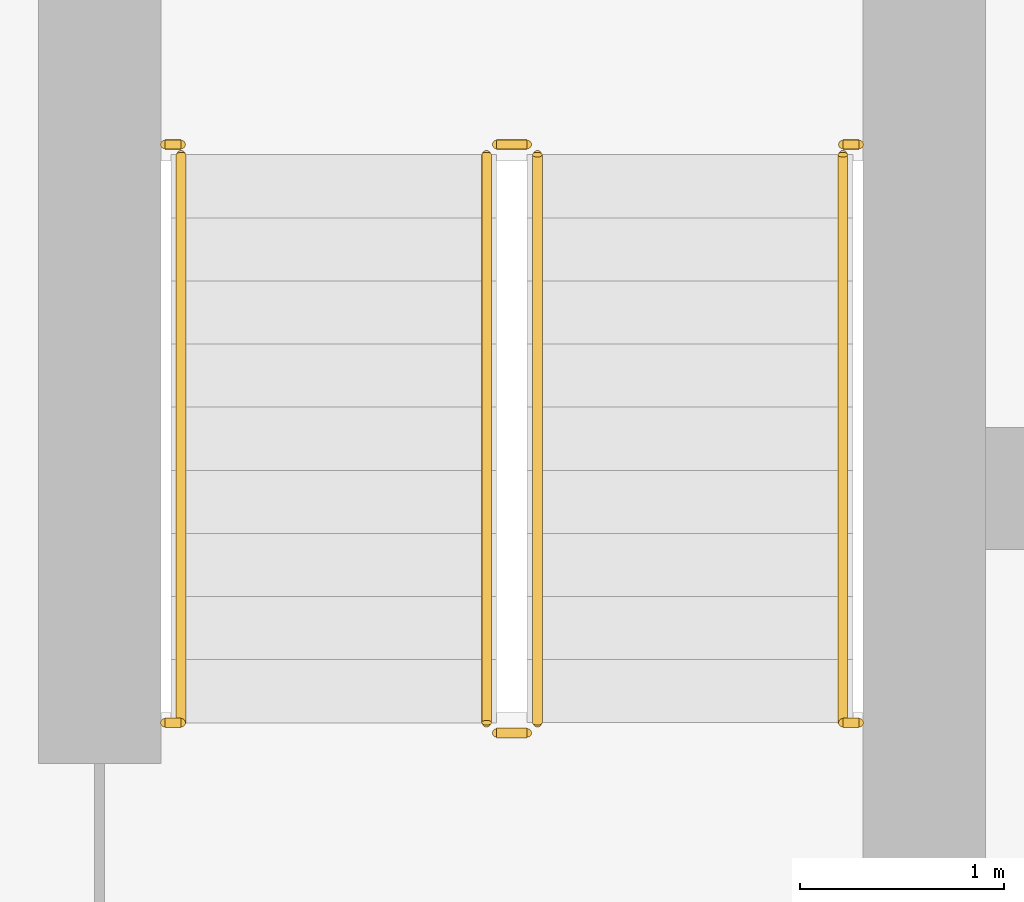
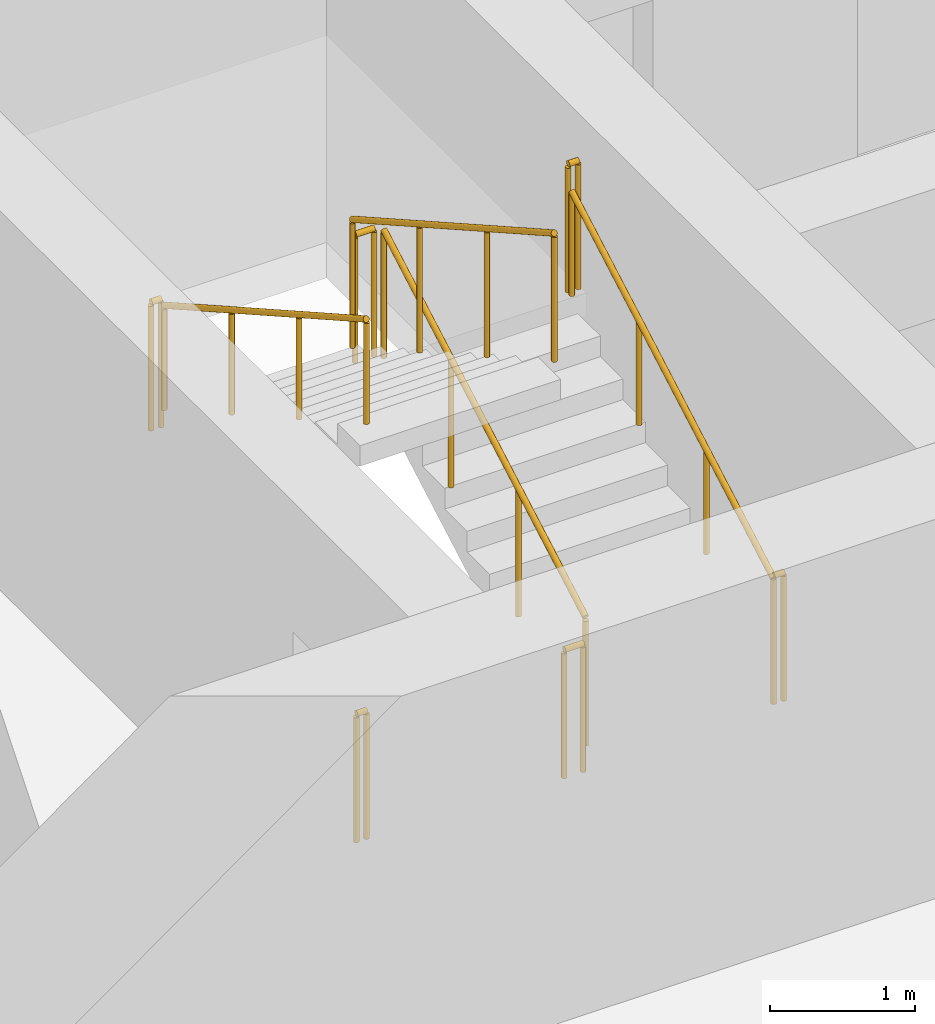
# One storey, part 18 of 22: 10 railings.
"""IFC4 building model written with IfcOpenShell, lengths in metres."""

from ifc_helpers import new_model, si_unit, direction, frame, origin, origin_2d, place, context, subcontext, project, spatial, circle, extrude, material, type_object, element, save


model = new_model("IFC4")

# Units and contexts
model_context = context("Model", 3, precision=1e-05, world=origin(), true_north=direction((0.0, 1.0)))
body_context = subcontext(model_context, "Body", "Model", "MODEL_VIEW")
ifc_project = project(units=[si_unit("LENGTHUNIT", "METRE"), si_unit("AREAUNIT", "SQUARE_METRE"), si_unit("VOLUMEUNIT", "CUBIC_METRE"), si_unit("PLANEANGLEUNIT", "RADIAN"), si_unit("MASSUNIT", "GRAM", prefix="KILO")], contexts=[model_context])

# Site, building, storey
site_placement = place(None, origin())
site = spatial("IfcSite", under=ifc_project, at=site_placement, CompositionType="ELEMENT")
building_placement = place(site_placement, origin())
building = spatial("IfcBuilding", under=site, at=building_placement, Name="Madar Terraces", CompositionType="ELEMENT")
storey_placement = place(building_placement, frame((0.0, 0.0, 156.0)))
storey = spatial("IfcBuildingStorey", under=building, at=storey_placement, Name="L40", CompositionType="ELEMENT", Elevation=156.0)

# Railings
ifc_material_1 = material(Name="Stainless steel railing", Category="steel")
railing_type_1 = type_object("IfcRailingType", Name="Stair guard 1100", PredefinedType="GUARDRAIL", material=ifc_material_1)
railing_1_placement = place(storey_placement, frame((21.199951171875, 17.60009765625, 0.175048828125)))
element("IfcRailing", 1, at=railing_1_placement, inside=storey, type_object=railing_type_1, Name="L40 ST1 stair guard 1", PredefinedType="GUARDRAIL", context=body_context, shape_type="SweptSolid", body=[
    extrude(circle(Radius=0.02392578125, at=origin_2d()), frame((0.0, 0.0, 1.076171875), z_axis=(0.0, 0.870815363784, 0.491610213684), x_axis=(-1.0, 0.0, 0.0)), (0.0, 0.0, 1.0), 3.20361328125),
    extrude(circle(Radius=0.02099609375, at=origin_2d()), origin(), (0.0, 0.0, 1.0), 1.052001953125),
    extrude(circle(Radius=0.02099609375, at=origin_2d()), frame((0.0, 0.929931640625, 0.52490234375)), (0.0, 0.0, 1.0), 1.052001953125),
    extrude(circle(Radius=0.02099609375, at=origin_2d()), frame((0.0, 1.85986328125, 1.050048828125)), (0.0, 0.0, 1.0), 1.052001953125),
    extrude(circle(Radius=0.02099609375, at=origin_2d()), frame((0.0, 2.789794921875, 1.574951171875)), (0.0, 0.0, 1.0), 1.052001953125),
])
railing_2_placement = place(storey_placement, frame((21.14990234375, 20.43994140625, 1.75)))
element("IfcRailing", 2, at=railing_2_placement, inside=storey, type_object=railing_type_1, Name="L40 ST1 stair guard 2", PredefinedType="GUARDRAIL", context=body_context, shape_type="SweptSolid", body=[
    extrude(circle(Radius=0.02392578125, at=origin_2d()), frame((0.0, 0.0, 1.076171875), z_axis=(-1.0, 0.0, 0.0), x_axis=(0.0, -1.0, 0.0)), (0.0, 0.0, 1.0), 0.14990234375),
    extrude(circle(Radius=0.02099609375, at=origin_2d()), origin(), (0.0, 0.0, 1.0), 1.052001953125),
    extrude(circle(Radius=0.02099609375, at=origin_2d()), frame((-0.14990234375, 0.0, 0.0)), (0.0, 0.0, 1.0), 1.052001953125),
])
railing_3_placement = place(storey_placement, frame((20.949951171875, 20.389892578125, 1.925048828125)))
element("IfcRailing", 3, at=railing_3_placement, inside=storey, type_object=railing_type_1, Name="L40 ST1 stair guard 3", PredefinedType="GUARDRAIL", context=body_context, shape_type="SweptSolid", body=[
    extrude(circle(Radius=0.02392578125, at=origin_2d()), frame((0.0, 0.0, 1.076171875), z_axis=(0.0, -0.870815363784, 0.491610213684), x_axis=(1.0, 0.0, 0.0)), (0.0, 0.0, 1.0), 3.20361328125),
    extrude(circle(Radius=0.02099609375, at=origin_2d()), origin(), (0.0, 0.0, 1.0), 1.052001953125),
    extrude(circle(Radius=0.02099609375, at=origin_2d()), frame((0.0, -0.929931640625, 0.52490234375)), (0.0, 0.0, 1.0), 1.052001953125),
    extrude(circle(Radius=0.02099609375, at=origin_2d()), frame((0.0, -1.85986328125, 1.050048828125)), (0.0, 0.0, 1.0), 1.052001953125),
    extrude(circle(Radius=0.02099609375, at=origin_2d()), frame((0.0, -2.789794921875, 1.574951171875)), (0.0, 0.0, 1.0), 1.052001953125),
])
railing_4_placement = place(storey_placement, frame((21.14990234375, 17.550048828125, 0.0)))
element("IfcRailing", 4, at=railing_4_placement, inside=storey, type_object=railing_type_1, Name="L40 ST1 stair guard 4", PredefinedType="GUARDRAIL", context=body_context, shape_type="SweptSolid", body=[
    extrude(circle(Radius=0.02392578125, at=origin_2d()), frame((0.0, 0.0, 1.076171875), z_axis=(-1.0, 0.0, 0.0), x_axis=(0.0, -1.0, 0.0)), (0.0, 0.0, 1.0), 0.14990234375),
    extrude(circle(Radius=0.02099609375, at=origin_2d()), origin(), (0.0, 0.0, 1.0), 1.052001953125),
    extrude(circle(Radius=0.02099609375, at=origin_2d()), frame((-0.14990234375, 0.0, 0.0)), (0.0, 0.0, 1.0), 1.052001953125),
])
railing_5_placement = place(storey_placement, frame((19.3701171875, 20.43994140625, 1.75)))
element("IfcRailing", 5, at=railing_5_placement, inside=storey, type_object=railing_type_1, Name="L40 stair guard seat 1", PredefinedType="GUARDRAIL", context=body_context, shape_type="SweptSolid", body=[
    extrude(circle(Radius=0.02392578125, at=origin_2d()), frame((0.0, 0.0, 1.076171875), z_axis=(1.0, 0.0, 0.0), x_axis=(0.0, 1.0, 0.0)), (0.0, 0.0, 1.0), 0.079833984375),
    extrude(circle(Radius=0.02099609375, at=origin_2d()), origin(), (0.0, 0.0, 1.0), 1.052001953125),
    extrude(circle(Radius=0.02099609375, at=origin_2d()), frame((0.079833984375, 0.0, 0.0)), (0.0, 0.0, 1.0), 1.052001953125),
])
railing_6_placement = place(storey_placement, frame((22.699951171875, 20.43994140625, 1.75)))
element("IfcRailing", 6, at=railing_6_placement, inside=storey, type_object=railing_type_1, Name="L40 stair guard seat 2", PredefinedType="GUARDRAIL", context=body_context, shape_type="SweptSolid", body=[
    extrude(circle(Radius=0.02392578125, at=origin_2d()), frame((0.0, 0.0, 1.076171875), z_axis=(1.0, 0.0, 0.0), x_axis=(0.0, 1.0, 0.0)), (0.0, 0.0, 1.0), 0.080078125),
    extrude(circle(Radius=0.02099609375, at=origin_2d()), origin(), (0.0, 0.0, 1.0), 1.052001953125),
    extrude(circle(Radius=0.02099609375, at=origin_2d()), frame((0.080078125, 0.0, 0.0)), (0.0, 0.0, 1.0), 1.052001953125),
])
railing_7_placement = place(storey_placement, frame((19.3701171875, 17.60009765625, 0.0)))
element("IfcRailing", 7, at=railing_7_placement, inside=storey, type_object=railing_type_1, Name="L40 stair guard floor 1", PredefinedType="GUARDRAIL", context=body_context, shape_type="SweptSolid", body=[
    extrude(circle(Radius=0.02392578125, at=origin_2d()), frame((0.0, 0.0, 1.076171875), z_axis=(1.0, 0.0, 0.0), x_axis=(0.0, 1.0, 0.0)), (0.0, 0.0, 1.0), 0.079833984375),
    extrude(circle(Radius=0.02099609375, at=origin_2d()), origin(), (0.0, 0.0, 1.0), 1.052001953125),
    extrude(circle(Radius=0.02099609375, at=origin_2d()), frame((0.079833984375, 0.0, 0.0)), (0.0, 0.0, 1.0), 1.052001953125),
])
railing_8_placement = place(storey_placement, frame((22.699951171875, 17.60009765625, 0.0)))
element("IfcRailing", 8, at=railing_8_placement, inside=storey, type_object=railing_type_1, Name="L40 stair guard floor 2", PredefinedType="GUARDRAIL", context=body_context, shape_type="SweptSolid", body=[
    extrude(circle(Radius=0.02392578125, at=origin_2d()), frame((0.0, 0.0, 1.076171875), z_axis=(1.0, 0.0, 0.0), x_axis=(0.0, 1.0, 0.0)), (0.0, 0.0, 1.0), 0.080078125),
    extrude(circle(Radius=0.02099609375, at=origin_2d()), origin(), (0.0, 0.0, 1.0), 1.052001953125),
    extrude(circle(Radius=0.02099609375, at=origin_2d()), frame((0.080078125, 0.0, 0.0)), (0.0, 0.0, 1.0), 1.052001953125),
])
ifc_material_2 = material(Name="Stainless steel railing", Category="steel")
railing_type_2 = type_object("IfcRailingType", Name="Stair handrail 900", PredefinedType="HANDRAIL", material=ifc_material_2)
railing_9_placement = place(storey_placement, frame((22.699951171875, 17.60009765625, 0.175048828125)))
element("IfcRailing", 9, at=railing_9_placement, inside=storey, type_object=railing_type_2, Name="L40 ST1 stair handrail 1", PredefinedType="HANDRAIL", context=body_context, shape_type="SweptSolid", body=[
    extrude(circle(Radius=0.02392578125, at=origin_2d()), frame((0.0, 0.0, 0.8759765625), z_axis=(0.0, 0.870815363784, 0.491610213684), x_axis=(-1.0, 0.0, 0.0)), (0.0, 0.0, 1.0), 3.20361328125),
    extrude(circle(Radius=0.02099609375, at=origin_2d()), origin(), (0.0, 0.0, 1.0), 0.851806640625),
    extrude(circle(Radius=0.02099609375, at=origin_2d()), frame((0.0, 0.929931640625, 0.52490234375)), (0.0, 0.0, 1.0), 0.851806640625),
    extrude(circle(Radius=0.02099609375, at=origin_2d()), frame((0.0, 1.85986328125, 1.050048828125)), (0.0, 0.0, 1.0), 0.851806640625),
    extrude(circle(Radius=0.02099609375, at=origin_2d()), frame((0.0, 2.789794921875, 1.574951171875)), (0.0, 0.0, 1.0), 0.851806640625),
])
railing_10_placement = place(storey_placement, frame((19.449951171875, 20.389892578125, 1.925048828125)))
element("IfcRailing", 10, at=railing_10_placement, inside=storey, type_object=railing_type_2, Name="L40 ST1 stair handrail 2", PredefinedType="HANDRAIL", context=body_context, shape_type="SweptSolid", body=[
    extrude(circle(Radius=0.02392578125, at=origin_2d()), frame((0.0, 0.0, 0.8759765625), z_axis=(0.0, -0.870815363784, 0.491610213684), x_axis=(1.0, 0.0, 0.0)), (0.0, 0.0, 1.0), 3.20361328125),
    extrude(circle(Radius=0.02099609375, at=origin_2d()), origin(), (0.0, 0.0, 1.0), 0.851806640625),
    extrude(circle(Radius=0.02099609375, at=origin_2d()), frame((0.0, -0.929931640625, 0.52490234375)), (0.0, 0.0, 1.0), 0.851806640625),
    extrude(circle(Radius=0.02099609375, at=origin_2d()), frame((0.0, -1.85986328125, 1.050048828125)), (0.0, 0.0, 1.0), 0.851806640625),
    extrude(circle(Radius=0.02099609375, at=origin_2d()), frame((0.0, -2.789794921875, 1.574951171875)), (0.0, 0.0, 1.0), 0.851806640625),
])

save(model, "model.ifc")
